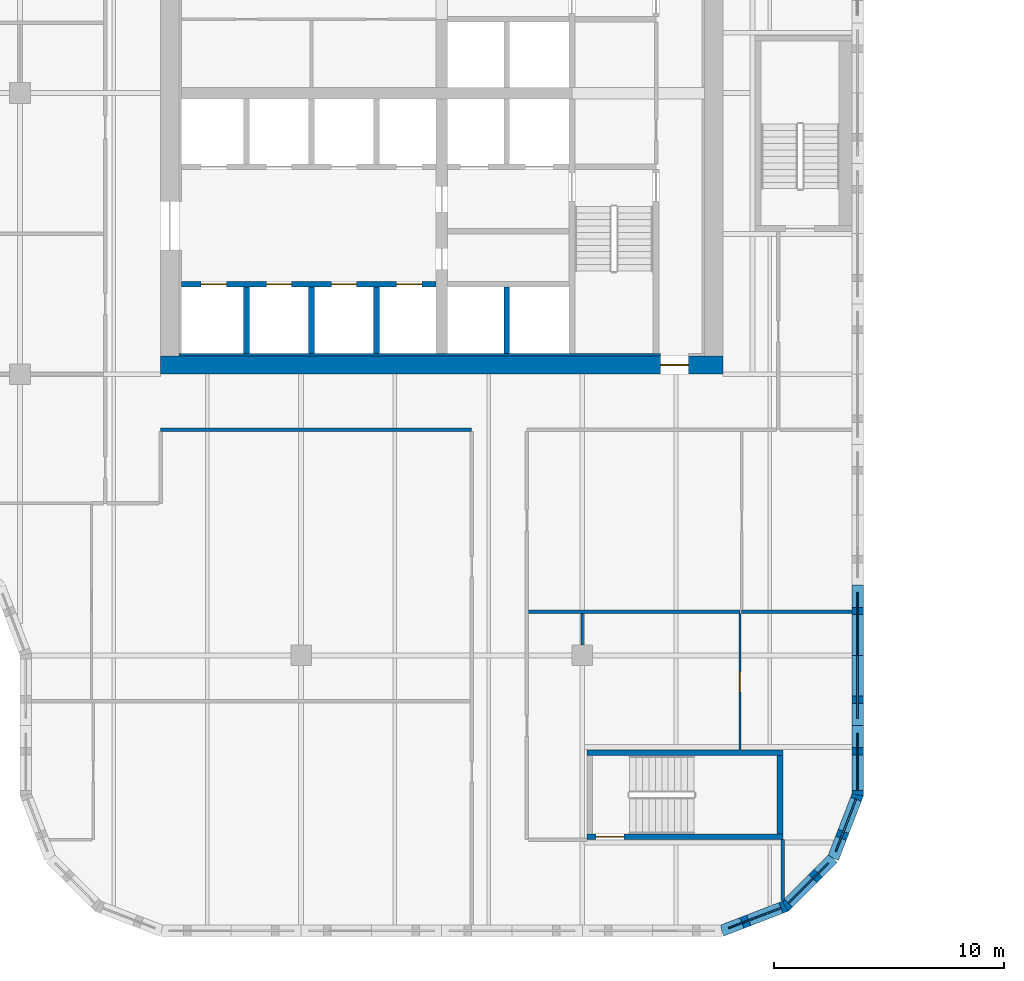
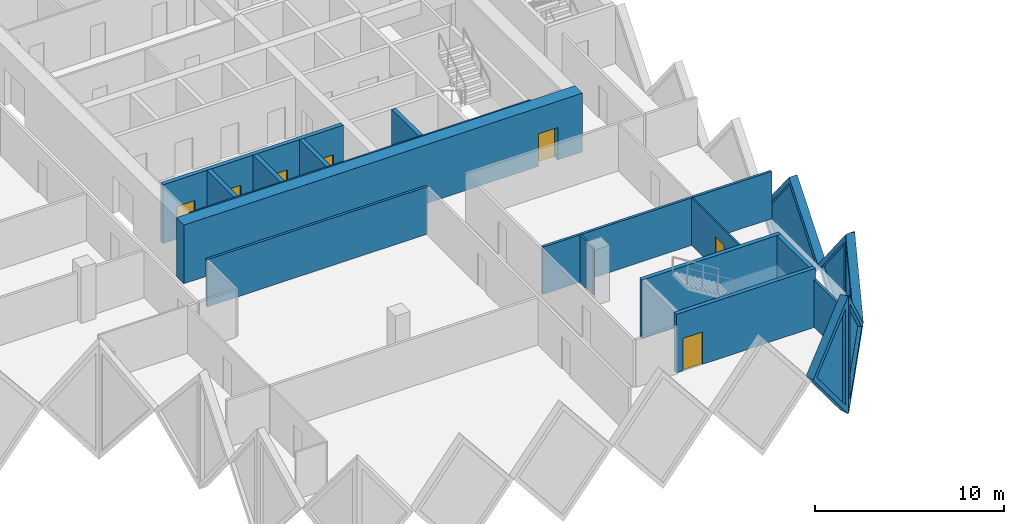
# One storey, part 6 of 19: 21 walls, 7 doors, 5 plates, 12 openings.
"""IFC4 building model written with IfcOpenShell, lengths in metres."""

from ifc_helpers import new_model, si_unit, direction, frame, frame_2d, origin, place, context, subcontext, project, spatial, polyline, rectangle, outline, extrude, faceted_brep, source, transform, mapped, material, layer, layer_set, type_object, element, fill, save


model = new_model("IFC4")

# Units and contexts
model_context = context("Model", 3, precision=1e-05, world=origin(), true_north=direction((0.0, 1.0)))
body_context = subcontext(model_context, "Body", "Model", "MODEL_VIEW")
ifc_project = project(units=[si_unit("LENGTHUNIT", "METRE"), si_unit("AREAUNIT", "SQUARE_METRE"), si_unit("VOLUMEUNIT", "CUBIC_METRE"), si_unit("PLANEANGLEUNIT", "RADIAN"), si_unit("MASSUNIT", "GRAM", prefix="KILO")], contexts=[model_context])

# Site, building, storey
site_placement = place(None, origin())
site = spatial("IfcSite", under=ifc_project, at=site_placement, CompositionType="ELEMENT")
building_placement = place(site_placement, origin())
building = spatial("IfcBuilding", under=site, at=building_placement, Name="Tessera Gate Towers", CompositionType="ELEMENT")
storey_placement = place(building_placement, frame((0.0, 0.0, 87.60009765625)))
storey = spatial("IfcBuildingStorey", under=building, at=storey_placement, Name="L21", CompositionType="ELEMENT", Elevation=87.60009765625)

# Wall, openings, doors
ifc_material_1 = material(Name="Concrete C40/50", Category="concrete")
ifc_layer_1 = layer(ifc_material_1, 0.25)
ifc_layer_set_1 = layer_set([ifc_layer_1], Name="CORE ENCLOSURE WALL 250")
wall_type_1 = type_object("IfcWallType", Name="CORE ENCLOSURE WALL 250", PredefinedType="SOLIDWALL", material=ifc_layer_set_1)
wall_1_placement = place(storey_placement, frame((31.39990234375, 28.300048828125, 0.0), z_axis=(0.0, 0.0, 1.0), x_axis=(1.0, 0.0, 0.0)))
wall_1 = element("IfcWall", 1, at=wall_1_placement, inside=storey, type_object=wall_type_1, Name="L21 shaft and stair enclosure wall", PredefinedType="SOLIDWALL", context=body_context, shape_type="SweptSolid", body=[
    extrude(rectangle(XDim=11.050048828125, YDim=0.25, at=frame_2d((5.52490234375, 0.0))), origin(), (0.0, 0.0, 1.0), 3.7998046875),
])
shared_shape_1 = source(origin(), body_context, "Body", "SweptSolid", [
    extrude(rectangle(XDim=1.10009765625, YDim=2.10009765625, at=frame_2d((0.550048828125, 1.050048828125))), frame((0.0, 0.135009765625, 0.0), z_axis=(0.0, -1.0, 0.0), x_axis=(1.0, 0.0, 0.0)), (0.0, 0.0, 1.0), 0.27001953125),
])
opening_1_placement = place(wall_1_placement, frame((0.862548828125, 0.0, 0.0)))
opening_1 = element("IfcOpeningElement", 2, at=opening_1_placement, cuts=wall_1, Name="Opening LD-LR1", PredefinedType="OPENING", context=body_context, shape_type="MappedRepresentation", body=[
    mapped(shared_shape_1, transform((0.0, 0.0, 0.0), scale=1.0)),
])
opening_2_placement = place(wall_1_placement, frame((3.6875, 0.0, 0.0)))
opening_2 = element("IfcOpeningElement", 3, at=opening_2_placement, cuts=wall_1, Name="Opening LD-LR2", PredefinedType="OPENING", context=body_context, shape_type="MappedRepresentation", body=[
    mapped(shared_shape_1, transform((0.0, 0.0, 0.0), scale=1.0)),
])
opening_3_placement = place(wall_1_placement, frame((6.512451171875, 0.0, 0.0)))
opening_3 = element("IfcOpeningElement", 4, at=opening_3_placement, cuts=wall_1, Name="Opening LD-LR3", PredefinedType="OPENING", context=body_context, shape_type="MappedRepresentation", body=[
    mapped(shared_shape_1, transform((0.0, 0.0, 0.0), scale=1.0)),
])
opening_4_placement = place(wall_1_placement, frame((9.33740234375, 0.0, 0.0)))
opening_4 = element("IfcOpeningElement", 5, at=opening_4_placement, cuts=wall_1, Name="Opening LD-LR4", PredefinedType="OPENING", context=body_context, shape_type="MappedRepresentation", body=[
    mapped(shared_shape_1, transform((0.0, 0.0, 0.0), scale=1.0)),
])
ifc_material_2 = material(Name="Stainless steel", Category="steel")
door_type_1 = type_object("IfcDoorType", Name="CORE DOOR LD 1100x2100", OperationType="DOUBLE_DOOR_SLIDING", PredefinedType="DOOR", material=ifc_material_2)
shared_shape_2 = source(origin(), body_context, "Body", "SweptSolid", [
    extrude(rectangle(XDim=1.10009765625, YDim=2.10009765625, at=frame_2d((0.550048828125, 1.050048828125))), frame((0.0, 0.02490234375, 0.0), z_axis=(0.0, -1.0, 0.0), x_axis=(1.0, 0.0, 0.0)), (0.0, 0.0, 1.0), 0.050048828125),
])
door_1_placement = place(opening_1_placement, origin())
door_1 = element("IfcDoor", 6, at=door_1_placement, inside=storey, type_object=door_type_1, Name="Landing door LR1 L21", OperationType="DOUBLE_DOOR_SLIDING", OverallHeight=2.10009765625, OverallWidth=1.10009765625, PredefinedType="DOOR", context=body_context, shape_type="MappedRepresentation", body=[
    mapped(shared_shape_2, transform((0.0, 0.0, 0.0), scale=1.0)),
])
fill(opening_1, door_1)
door_2_placement = place(opening_2_placement, origin())
door_2 = element("IfcDoor", 7, at=door_2_placement, inside=storey, type_object=door_type_1, Name="Landing door LR2 L21", OperationType="DOUBLE_DOOR_SLIDING", OverallHeight=2.10009765625, OverallWidth=1.10009765625, PredefinedType="DOOR", context=body_context, shape_type="MappedRepresentation", body=[
    mapped(shared_shape_2, transform((0.0, 0.0, 0.0), scale=1.0)),
])
fill(opening_2, door_2)
door_3_placement = place(opening_3_placement, origin())
door_3 = element("IfcDoor", 8, at=door_3_placement, inside=storey, type_object=door_type_1, Name="Landing door LR3 L21", OperationType="DOUBLE_DOOR_SLIDING", OverallHeight=2.10009765625, OverallWidth=1.10009765625, PredefinedType="DOOR", context=body_context, shape_type="MappedRepresentation", body=[
    mapped(shared_shape_2, transform((0.0, 0.0, 0.0), scale=1.0)),
])
fill(opening_3, door_3)
door_4_placement = place(opening_4_placement, origin())
door_4 = element("IfcDoor", 9, at=door_4_placement, inside=storey, type_object=door_type_1, Name="Landing door LR4 L21", OperationType="DOUBLE_DOOR_SLIDING", OverallHeight=2.10009765625, OverallWidth=1.10009765625, PredefinedType="DOOR", context=body_context, shape_type="MappedRepresentation", body=[
    mapped(shared_shape_2, transform((0.0, 0.0, 0.0), scale=1.0)),
])
fill(opening_4, door_4)

# Walls
for number, where, z_axis, x_axis, name in (
    (10, (34.22509765625, 25.300048828125, 0.0), (0.0, 0.0, 1.0), (0.0, 1.0, 0.0), "L21 shaft and stair enclosure wall"),
    (11, (37.050048828125, 25.300048828125, 0.0), (0.0, 0.0, 1.0), (0.0, 1.0, 0.0), "L21 shaft and stair enclosure wall"),
    (12, (39.875, 25.300048828125, 0.0), (0.0, 0.0, 1.0), (0.0, 1.0, 0.0), "L21 shaft and stair enclosure wall"),
    (13, (45.52490234375, 25.300048828125, 0.0), (0.0, 0.0, 1.0), (0.0, 1.0, 0.0), "L21 shaft and stair enclosure wall"),
):
    element("IfcWall", number, at=place(storey_placement, frame(where, z_axis=z_axis, x_axis=x_axis)), inside=storey, type_object=wall_type_1, Name=name, PredefinedType="SOLIDWALL", context=body_context, shape_type="SweptSolid", body=[
        extrude(rectangle(XDim=2.875, YDim=0.25, at=frame_2d((1.4375, 0.0))), origin(), (0.0, 0.0, 1.0), 3.7998046875),
    ])

# Wall, opening, door
wall_2_placement = place(storey_placement, frame((57.5, 4.324951171875, 0.0), z_axis=(0.0, 0.0, 1.0), x_axis=(-1.0, 0.0, 0.0)))
wall_2 = element("IfcWall", 14, at=wall_2_placement, inside=storey, type_object=wall_type_1, Name="L21 ST4 enclosure wall", PredefinedType="SOLIDWALL", context=body_context, shape_type="SweptSolid", body=[
    extrude(rectangle(XDim=8.5, YDim=0.25, at=frame_2d((4.25, 0.0))), origin(), (0.0, 0.0, 1.0), 3.7998046875),
])
shared_shape_3 = source(origin(), body_context, "Body", "SweptSolid", [
    extrude(rectangle(XDim=1.199951171875, YDim=2.10009765625, at=frame_2d((0.60009765625, 1.050048828125))), frame((0.0, 0.135009765625, 0.0), z_axis=(0.0, -1.0, 0.0), x_axis=(1.0, 0.0, 0.0)), (0.0, 0.0, 1.0), 0.27001953125),
])
opening_5_placement = place(wall_2_placement, frame((6.89990234375, 0.0, 0.0)))
opening_5 = element("IfcOpeningElement", 15, at=opening_5_placement, cuts=wall_2, Name="Opening SD-ST4-1", PredefinedType="OPENING", context=body_context, shape_type="MappedRepresentation", body=[
    mapped(shared_shape_3, transform((0.0, 0.0, 0.0), scale=1.0)),
])
ifc_material_3 = material(Name="Hollow steel fire door", Category="steel")
door_type_2 = type_object("IfcDoorType", Name="CORE DOOR SD 1200x2100", OperationType="NOTDEFINED", PredefinedType="DOOR", material=ifc_material_3)
shared_shape_4 = source(origin(), body_context, "Body", "SweptSolid", [
    extrude(rectangle(XDim=1.199951171875, YDim=2.10009765625, at=frame_2d((0.60009765625, 1.050048828125))), frame((0.0, 0.02490234375, 0.0), z_axis=(0.0, -1.0, 0.0), x_axis=(1.0, 0.0, 0.0)), (0.0, 0.0, 1.0), 0.050048828125),
])
door_5_placement = place(opening_5_placement, origin())
door_5 = element("IfcDoor", 16, at=door_5_placement, inside=storey, type_object=door_type_2, Name="Stair door", OperationType="SINGLE_SWING_RIGHT", OverallHeight=2.10009765625, OverallWidth=1.199951171875, PredefinedType="DOOR", context=body_context, shape_type="MappedRepresentation", body=[
    mapped(shared_shape_4, transform((0.0, 0.0, 0.0), scale=1.0)),
])
fill(opening_5, door_5)

# Walls
wall_3_placement = place(storey_placement, frame((49.0, 7.97509765625, 0.0), z_axis=(0.0, 0.0, 1.0), x_axis=(1.0, 0.0, 0.0)))
element("IfcWall", 17, at=wall_3_placement, inside=storey, type_object=wall_type_1, Name="L21 ST4 enclosure wall", PredefinedType="SOLIDWALL", context=body_context, shape_type="SweptSolid", body=[
    extrude(rectangle(XDim=8.5, YDim=0.25, at=frame_2d((4.25, 0.0))), origin(), (0.0, 0.0, 1.0), 3.7998046875),
])
wall_4_placement = place(storey_placement, frame((57.375, 7.85009765625, 0.0), z_axis=(0.0, 0.0, 1.0), x_axis=(0.0, -1.0, 0.0)))
element("IfcWall", 18, at=wall_4_placement, inside=storey, type_object=wall_type_1, Name="L21 ST4 enclosure wall", PredefinedType="SOLIDWALL", context=body_context, shape_type="SweptSolid", body=[
    extrude(rectangle(XDim=3.400146484375, YDim=0.25, at=frame_2d((1.7001953125, 0.0))), origin(), (0.0, 0.0, 1.0), 3.7998046875),
])

# Wall, opening, door
ifc_material_4 = material(Name="Concrete C60/75", Category="concrete")
ifc_layer_2 = layer(ifc_material_4, 0.800048828125)
ifc_layer_set_2 = layer_set([ifc_layer_2], Name="CORE SHEAR WALL 800 C60/75")
wall_type_2 = type_object("IfcWallType", Name="CORE SHEAR WALL 800 C60/75", PredefinedType="SHEAR", material=ifc_layer_set_2)
wall_5_placement = place(storey_placement, frame((54.89990234375, 24.800048828125, 0.0), z_axis=(0.0, 0.0, 1.0), x_axis=(-1.0, 0.0, 0.0)))
wall_5 = element("IfcWall", 19, at=wall_5_placement, inside=storey, type_object=wall_type_2, Name="Core wall S L21", PredefinedType="SHEAR", context=body_context, shape_type="SweptSolid", body=[
    extrude(rectangle(XDim=24.39990234375, YDim=0.800048828125, at=frame_2d((12.199951171875, 0.0))), origin(), (0.0, 0.0, 1.0), 3.7998046875),
])
shared_shape_5 = source(origin(), body_context, "Body", "SweptSolid", [
    extrude(rectangle(XDim=1.199951171875, YDim=2.10009765625, at=frame_2d((0.60009765625, 1.050048828125))), frame((0.0, 0.409912109375, 0.0), z_axis=(0.0, -1.0, 0.0), x_axis=(1.0, 0.0, 0.0)), (0.0, 0.0, 1.0), 0.820068359375),
])
opening_6_placement = place(wall_5_placement, frame((1.5, 0.0, 0.0)))
opening_6 = element("IfcOpeningElement", 20, at=opening_6_placement, cuts=wall_5, Name="Opening ED-T1-14-01", PredefinedType="OPENING", context=body_context, shape_type="MappedRepresentation", body=[
    mapped(shared_shape_5, transform((0.0, 0.0, 0.0), scale=1.0)),
])
ifc_material_5 = material(Name="Hollow steel fire door", Category="steel")
door_type_3 = type_object("IfcDoorType", Name="CORE DOOR ED 1200x2100", OperationType="NOTDEFINED", PredefinedType="DOOR", material=ifc_material_5)
door_6_placement = place(opening_6_placement, origin())
door_6 = element("IfcDoor", 21, at=door_6_placement, inside=storey, type_object=door_type_3, Name="Core exit door", OperationType="SINGLE_SWING_LEFT", OverallHeight=2.10009765625, OverallWidth=1.199951171875, PredefinedType="DOOR", context=body_context, shape_type="MappedRepresentation", body=[
    mapped(shared_shape_4, transform((0.0, 0.0, 0.0), scale=1.0)),
])
fill(opening_6, door_6)

# Walls
ifc_material_6 = material(Name="Concrete C60/75", Category="concrete")
ifc_layer_3 = layer(ifc_material_6, 0.10009765625)
ifc_layer_set_3 = layer_set([ifc_layer_3], Name="CORE WALL THICKENING 100")
wall_type_3 = type_object("IfcWallType", Name="CORE WALL THICKENING 100", PredefinedType="SOLIDWALL", material=ifc_layer_set_3)
wall_6_placement = place(storey_placement, frame((31.300048828125, 25.25, 0.0), z_axis=(0.0, 0.0, 1.0), x_axis=(1.0, 0.0, 0.0)))
element("IfcWall", 22, at=wall_6_placement, inside=storey, type_object=wall_type_3, Name="Core wall thickening S L21", PredefinedType="SOLIDWALL", context=body_context, shape_type="SweptSolid", body=[
    extrude(rectangle(XDim=20.89990234375, YDim=0.10009765625, at=frame_2d((10.449951171875, 0.0))), origin(), (0.0, 0.0, 1.0), 3.7998046875),
])
ifc_material_7 = material(Name="Gypsum board on steel studs, mineral wool", Category="steel")
ifc_layer_4 = layer(ifc_material_7, 0.14990234375)
ifc_layer_set_4 = layer_set([ifc_layer_4], Name="CORRIDOR WALL 150")
wall_type_4 = type_object("IfcWallType", Name="CORRIDOR WALL 150", PredefinedType="PARTITIONING", material=ifc_layer_set_4)
wall_7_placement = place(storey_placement, frame((57.5, 1.55908203125, 0.0), z_axis=(0.0, 0.0, 1.0), x_axis=(0.0, 1.0, 0.0)))
element("IfcWall", 23, at=wall_7_placement, inside=storey, type_object=wall_type_4, Name="T1-L21-PW-002", PredefinedType="PARTITIONING", context=body_context, shape_type="SweptSolid", body=[
    extrude(rectangle(XDim=2.640869140625, YDim=0.14990234375, at=frame_2d((1.3203125, 0.0))), origin(), (0.0, 0.0, 1.0), 3.06689453125),
])
wall_8_placement = place(storey_placement, frame((30.5, 22.0, 0.0), z_axis=(0.0, 0.0, 1.0), x_axis=(1.0, 0.0, 0.0)))
element("IfcWall", 24, at=wall_8_placement, inside=storey, type_object=wall_type_4, Name="T1-L21-PW-022", PredefinedType="PARTITIONING", context=body_context, shape_type="SweptSolid", body=[
    extrude(rectangle(XDim=13.5, YDim=0.14990234375, at=frame_2d((6.75, 0.0))), origin(), (0.0, 0.0, 1.0), 3.06689453125),
])

# Wall, opening, door
ifc_material_8 = material(Name="Glass", Category="glass")
ifc_layer_5 = layer(ifc_material_8, 0.10009765625)
ifc_layer_set_5 = layer_set([ifc_layer_5], Name="GLAZED PARTITION 100")
wall_type_5 = type_object("IfcWallType", Name="GLAZED PARTITION 100", PredefinedType="PARTITIONING", material=ifc_layer_set_5)
wall_9_placement = place(storey_placement, frame((55.639892578125, 14.02392578125, 0.0), z_axis=(0.0, 0.0, 1.0), x_axis=(0.0, -1.0, 0.0)))
wall_9 = element("IfcWall", 25, at=wall_9_placement, inside=storey, type_object=wall_type_5, Name="T1-L21-PW-007", PredefinedType="PARTITIONING", context=body_context, shape_type="SweptSolid", body=[
    extrude(rectangle(XDim=5.923828125, YDim=0.10009765625, at=frame_2d((2.9619140625, 0.0))), origin(), (0.0, 0.0, 1.0), 3.06689453125),
])
shared_shape_6 = source(origin(), body_context, "Body", "SweptSolid", [
    extrude(rectangle(XDim=0.89990234375, YDim=2.10009765625, at=frame_2d((0.449951171875, 1.050048828125))), frame((0.0, 0.06005859375, 0.0), z_axis=(0.0, -1.0, 0.0), x_axis=(1.0, 0.0, 0.0)), (0.0, 0.0, 1.0), 0.1201171875),
])
opening_7_placement = place(wall_9_placement, frame((2.52392578125, 0.0, 0.0)))
opening_7 = element("IfcOpeningElement", 26, at=opening_7_placement, cuts=wall_9, Name="Opening D690-A07-03", PredefinedType="OPENING", context=body_context, shape_type="MappedRepresentation", body=[
    mapped(shared_shape_6, transform((0.0, 0.0, 0.0), scale=1.0)),
])
ifc_material_9 = material(Name="Glass in aluminium frame", Category="aluminium")
door_type_4 = type_object("IfcDoorType", Name="GLAZED DOOR 900 NOT RATED", OperationType="NOTDEFINED", PredefinedType="DOOR", material=ifc_material_9)
shared_shape_7 = source(origin(), body_context, "Body", "SweptSolid", [
    extrude(rectangle(XDim=0.89990234375, YDim=2.10009765625, at=frame_2d((0.449951171875, 1.050048828125))), frame((0.0, 0.02490234375, 0.0), z_axis=(0.0, -1.0, 0.0), x_axis=(1.0, 0.0, 0.0)), (0.0, 0.0, 1.0), 0.050048828125),
])
door_7_placement = place(opening_7_placement, origin())
door_7 = element("IfcDoor", 27, at=door_7_placement, inside=storey, type_object=door_type_4, Name="T1-L21-PD-007", OperationType="SINGLE_SWING_RIGHT", OverallHeight=2.10009765625, OverallWidth=0.89990234375, PredefinedType="DOOR", context=body_context, shape_type="MappedRepresentation", body=[
    mapped(shared_shape_7, transform((0.0, 0.0, 0.0), scale=1.0)),
])
fill(opening_7, door_7)

# Walls
ifc_material_10 = material(Name="Gypsum board on steel studs", Category="steel")
ifc_layer_6 = layer(ifc_material_10, 0.10009765625)
ifc_layer_set_6 = layer_set([ifc_layer_6], Name="PARTITION 100")
wall_type_6 = type_object("IfcWallType", Name="PARTITION 100", PredefinedType="PARTITIONING", material=ifc_layer_set_6)
wall_10_placement = place(storey_placement, frame((48.800048828125, 12.64990234375, 0.0), z_axis=(0.0, 0.0, 1.0), x_axis=(0.0, 1.0, 0.0)))
element("IfcWall", 28, at=wall_10_placement, inside=storey, type_object=wall_type_6, Name="T1-L21-PW-011", PredefinedType="PARTITIONING", context=body_context, shape_type="SweptSolid", body=[
    extrude(rectangle(XDim=1.375, YDim=0.10009765625, at=frame_2d((0.6875, 0.0))), origin(), (0.0, 0.0, 1.0), 3.06689453125),
])
ifc_material_11 = material(Name="Gypsum board on steel studs, mineral wool", Category="steel")
ifc_layer_7 = layer(ifc_material_11, 0.14990234375)
ifc_layer_set_7 = layer_set([ifc_layer_7], Name="TENANCY WALL 150")
wall_type_7 = type_object("IfcWallType", Name="TENANCY WALL 150", PredefinedType="PARTITIONING", material=ifc_layer_set_7)
wall_11_placement = place(storey_placement, frame((46.47607421875, 14.10009765625, 0.0), z_axis=(0.0, 0.0, 1.0), x_axis=(1.0, 0.0, 0.0)))
element("IfcWall", 29, at=wall_11_placement, inside=storey, type_object=wall_type_7, Name="T1-L21-PW-012", PredefinedType="PARTITIONING", context=body_context, shape_type="SweptSolid", body=[
    extrude(rectangle(XDim=9.163818359375, YDim=0.14990234375, at=frame_2d((4.58203125, 0.0))), origin(), (0.0, 0.0, 1.0), 3.06689453125),
])
wall_12_placement = place(storey_placement, frame((55.715087890625, 14.10009765625, 0.0), z_axis=(0.0, 0.0, 1.0), x_axis=(1.0, 0.0, 0.0)))
element("IfcWall", 30, at=wall_12_placement, inside=storey, type_object=wall_type_7, Name="T1-L21-PW-013", PredefinedType="PARTITIONING", context=body_context, shape_type="SweptSolid", body=[
    extrude(rectangle(XDim=4.784912109375, YDim=0.14990234375, at=frame_2d((2.392578125, 0.0))), origin(), (0.0, 0.0, 1.0), 3.06689453125),
])

# Wall, opening, plate
ifc_material_12 = material(Name="Precast concrete C60/75 white", Category="concrete")
ifc_layer_8 = layer(ifc_material_12, 0.5)
ifc_layer_set_8 = layer_set([ifc_layer_8], Name="TS1 tessera")
wall_type_8 = type_object("IfcWallType", Name="TS1 tessera", PredefinedType="SOLIDWALL", material=ifc_layer_set_8)
shared_shape_8 = source(origin(), body_context, "Body", "SweptSolid", [
    extrude(outline(polyline([(3.050048828125, 0.0), (6.10009765625, 3.800048828125), (3.050048828125, 7.599853515625), (0.0, 3.800048828125), (3.050048828125, 0.0)])), frame((0.0, 0.25, 0.0), z_axis=(0.0, -1.0, 0.0), x_axis=(1.0, 0.0, 0.0)), (0.0, 0.0, 1.0), 0.5),
])
wall_13_placement = place(storey_placement, frame((60.75, 9.14990234375, -3.800048828125), z_axis=(0.0, 0.0, 1.0), x_axis=(0.0, 1.0, 0.0)))
wall_13 = element("IfcWall", 31, at=wall_13_placement, inside=storey, type_object=wall_type_8, Name="Precast tessera T1 TS1-0326", PredefinedType="SOLIDWALL", context=body_context, shape_type="MappedRepresentation", body=[
    mapped(shared_shape_8, transform((0.0, 0.0, 0.0), scale=1.0)),
])
shared_shape_9 = source(origin(), body_context, "Body", "SweptSolid", [
    extrude(outline(polyline([(3.050048828125, 0.3994140625), (5.779541015625, 3.800048828125), (3.050048828125, 7.200439453125), (0.320556640625, 3.800048828125), (3.050048828125, 0.3994140625)])), frame((0.0, 0.260009765625, 0.0), z_axis=(0.0, -1.0, 0.0), x_axis=(1.0, 0.0, 0.0)), (0.0, 0.0, 1.0), 0.52001953125),
])
opening_8_placement = place(wall_13_placement, origin())
opening_8 = element("IfcOpeningElement", 32, at=opening_8_placement, cuts=wall_13, Name="Opening T1-PL2-0666", PredefinedType="OPENING", context=body_context, shape_type="MappedRepresentation", body=[
    mapped(shared_shape_9, transform((0.0, 0.0, 0.0), scale=1.0)),
])
ifc_material_13 = material(Name="Low-e laminated glass", Category="glass")
ifc_layer_9 = layer(ifc_material_13, 0.06005859375)
ifc_layer_set_9 = layer_set([ifc_layer_9], Name="PL2 rhombic pane")
plate_type = type_object("IfcPlateType", Name="PL2 rhombic pane", PredefinedType="SHEET", material=ifc_layer_set_9)
shared_shape_10 = source(origin(), body_context, "Body", "SweptSolid", [
    extrude(outline(polyline([(3.050048828125, 0.3994140625), (5.779541015625, 3.800048828125), (3.050048828125, 7.200439453125), (0.320556640625, 3.800048828125), (3.050048828125, 0.3994140625)])), frame((0.0, 0.030029296875, 0.0), z_axis=(0.0, -1.0, 0.0), x_axis=(1.0, 0.0, 0.0)), (0.0, 0.0, 1.0), 0.06005859375),
])
plate_1_placement = place(opening_8_placement, origin())
plate_1 = element("IfcPlate", 33, at=plate_1_placement, inside=storey, type_object=plate_type, Name="Glass pane T1 PL2-0666", PredefinedType="SHEET", context=body_context, shape_type="MappedRepresentation", body=[
    mapped(shared_shape_10, transform((0.0, 0.0, 0.0), scale=1.0)),
])
fill(opening_8, plate_1)

ifc_material_14 = material(Name="Precast concrete C60/75 white", Category="concrete")
ifc_layer_10 = layer(ifc_material_14, 0.5)
ifc_layer_set_10 = layer_set([ifc_layer_10], Name="TS3 corner tessera")
wall_type_9 = type_object("IfcWallType", Name="TS3 corner tessera", PredefinedType="SOLIDWALL", material=ifc_layer_set_10)
shared_shape_11 = source(origin(), body_context, "Body", "Brep", [
    faceted_brep([(2.950439453125, -0.25, 0.0), (3.00341796875, -0.25, 0.068359375), (3.00341796875, -0.25, 7.531494140625), (2.950439453125, -0.25, 7.599853515625), (0.0, -0.25, 3.800048828125), (0.046630859375, 0.25, 3.860107421875), (2.897705078125, 0.25, 7.53173828125), (2.897705078125, 0.25, 0.068115234375), (0.046630859375, 0.25, 3.739990234375), (2.950439453125, 0.00048828125, 0.0), (2.950439453125, 0.00048828125, 7.599853515625), (0.0, 0.0, 3.800048828125)], [[[0, 1, 2, 3, 4]], [[5, 6, 7, 8]], [[1, 0, 9]], [[10, 3, 2]], [[6, 5, 11, 4, 3, 10]], [[8, 7, 9, 0, 4, 11]], [[8, 11, 5]], [[1, 9, 7, 6, 10, 2]]]),
])
wall_14_placement = place(storey_placement, frame((54.853515625, 0.25, -3.800048828125), z_axis=(0.0, 0.0, 1.0), x_axis=(0.932970071518, 0.359953949349, 0.0)))
wall_14 = element("IfcWall", 34, at=wall_14_placement, inside=storey, type_object=wall_type_9, Name="Precast corner tessera T1 TS3-0457", PredefinedType="SOLIDWALL", context=body_context, shape_type="MappedRepresentation", body=[
    mapped(shared_shape_11, transform((0.0, 0.0, 0.0), scale=1.0)),
])
shared_shape_12 = source(origin(), body_context, "Body", "SweptSolid", [
    extrude(outline(polyline([(2.75048828125, 6.934814453125), (0.31640625, 3.800048828125), (2.75048828125, 0.665283203125), (2.75048828125, 6.934814453125)])), frame((0.0, 0.260009765625, 0.0), z_axis=(0.0, -1.0, 0.0), x_axis=(1.0, 0.0, 0.0)), (0.0, 0.0, 1.0), 0.52001953125),
])
opening_9_placement = place(wall_14_placement, origin())
opening_9 = element("IfcOpeningElement", 35, at=opening_9_placement, cuts=wall_14, Name="Opening T1-PL2-0662", PredefinedType="OPENING", context=body_context, shape_type="MappedRepresentation", body=[
    mapped(shared_shape_12, transform((0.0, 0.0, 0.0), scale=1.0)),
])
shared_shape_13 = source(origin(), body_context, "Body", "SweptSolid", [
    extrude(outline(polyline([(2.75048828125, 6.934814453125), (0.31640625, 3.800048828125), (2.75048828125, 0.665283203125), (2.75048828125, 6.934814453125)])), frame((0.0, 0.030029296875, 0.0), z_axis=(0.0, -1.0, 0.0), x_axis=(1.0, 0.0, 0.0)), (0.0, 0.0, 1.0), 0.06005859375),
])
plate_2_placement = place(opening_9_placement, origin())
plate_2 = element("IfcPlate", 36, at=plate_2_placement, inside=storey, type_object=plate_type, Name="Glass pane T1 PL2-0662", PredefinedType="SHEET", context=body_context, shape_type="MappedRepresentation", body=[
    mapped(shared_shape_13, transform((0.0, 0.0, 0.0), scale=1.0)),
])
fill(opening_9, plate_2)

shared_shape_14 = source(origin(), body_context, "Body", "Brep", [
    faceted_brep([(0.052978515625, -0.25, 0.0), (2.9970703125, -0.25, 3.800048828125), (0.052978515625, -0.25, 7.599853515625), (0.0, -0.25, 7.53173828125), (0.0, -0.25, 0.068115234375), (0.10595703125, 0.25, 7.531494140625), (2.944091796875, 0.25, 3.8681640625), (2.944091796875, 0.25, 3.73193359375), (0.10595703125, 0.25, 0.068359375), (2.9970703125, 0.000244140625, 3.800048828125), (0.052978515625, 0.0, 0.0), (0.052978515625, 0.0, 7.599853515625)], [[[0, 1, 2, 3, 4]], [[5, 6, 7, 8]], [[8, 7, 9, 1, 0, 10]], [[6, 5, 11, 2, 1, 9]], [[3, 2, 11]], [[10, 0, 4]], [[8, 10, 4, 3, 11, 5]], [[7, 6, 9]]]),
])
wall_15_placement = place(storey_placement, frame((57.56884765625, 1.2744140625, -3.800048828125), z_axis=(0.0, 0.0, 1.0), x_axis=(0.707066050402, 0.707147509625, 0.0)))
wall_15 = element("IfcWall", 37, at=wall_15_placement, inside=storey, type_object=wall_type_9, Name="Precast corner tessera T1 TS3-0458", PredefinedType="SOLIDWALL", context=body_context, shape_type="MappedRepresentation", body=[
    mapped(shared_shape_14, transform((0.0, 0.0, 0.0), scale=1.0)),
])
shared_shape_15 = source(origin(), body_context, "Body", "SweptSolid", [
    extrude(outline(polyline([(0.2529296875, 0.666259765625), (2.680908203125, 3.800048828125), (0.2529296875, 6.93359375), (0.2529296875, 0.666259765625)])), frame((0.0, 0.260009765625, 0.0), z_axis=(0.0, -1.0, 0.0), x_axis=(1.0, 0.0, 0.0)), (0.0, 0.0, 1.0), 0.52001953125),
])
opening_10_placement = place(wall_15_placement, origin())
opening_10 = element("IfcOpeningElement", 38, at=opening_10_placement, cuts=wall_15, Name="Opening T1-PL2-0663", PredefinedType="OPENING", context=body_context, shape_type="MappedRepresentation", body=[
    mapped(shared_shape_15, transform((0.0, 0.0, 0.0), scale=1.0)),
])
shared_shape_16 = source(origin(), body_context, "Body", "SweptSolid", [
    extrude(outline(polyline([(0.2529296875, 0.666259765625), (2.680908203125, 3.800048828125), (0.2529296875, 6.93359375), (0.2529296875, 0.666259765625)])), frame((0.0, 0.030029296875, 0.0), z_axis=(0.0, -1.0, 0.0), x_axis=(1.0, 0.0, 0.0)), (0.0, 0.0, 1.0), 0.06005859375),
])
plate_3_placement = place(opening_10_placement, origin())
plate_3 = element("IfcPlate", 39, at=plate_3_placement, inside=storey, type_object=plate_type, Name="Glass pane T1 PL2-0663", PredefinedType="SHEET", context=body_context, shape_type="MappedRepresentation", body=[
    mapped(shared_shape_16, transform((0.0, 0.0, 0.0), scale=1.0)),
])
fill(opening_10, plate_3)

shared_shape_17 = source(origin(), body_context, "Body", "Brep", [
    faceted_brep([(2.950439453125, -0.25, 0.0), (2.9970703125, -0.25, 0.05908203125), (2.9970703125, -0.25, 7.540771484375), (2.950439453125, -0.25, 7.599853515625), (0.0, -0.25, 3.800048828125), (0.052978515625, 0.25, 3.8681640625), (2.904052734375, 0.25, 7.5400390625), (2.904052734375, 0.25, 0.059814453125), (0.052978515625, 0.25, 3.73193359375), (2.950439453125, 0.00048828125, 0.0), (2.950439453125, 0.00048828125, 7.599853515625), (0.0, 0.0, 3.800048828125)], [[[0, 1, 2, 3, 4]], [[5, 6, 7, 8]], [[1, 0, 9]], [[10, 3, 2]], [[6, 5, 11, 4, 3, 10]], [[8, 7, 9, 0, 4, 11]], [[8, 11, 5]], [[1, 9, 7, 6, 10, 2]]]),
])
wall_16_placement = place(storey_placement, frame((59.68798828125, 3.393798828125, -3.800048828125), z_axis=(0.0, 0.0, 1.0), x_axis=(0.359972353723, 0.932962970624, 0.0)))
wall_16 = element("IfcWall", 40, at=wall_16_placement, inside=storey, type_object=wall_type_9, Name="Precast corner tessera T1 TS3-0459", PredefinedType="SOLIDWALL", context=body_context, shape_type="MappedRepresentation", body=[
    mapped(shared_shape_17, transform((0.0, 0.0, 0.0), scale=1.0)),
])
opening_11_placement = place(wall_16_placement, origin())
opening_11 = element("IfcOpeningElement", 41, at=opening_11_placement, cuts=wall_16, Name="Opening T1-PL2-0664", PredefinedType="OPENING", context=body_context, shape_type="MappedRepresentation", body=[
    mapped(shared_shape_12, transform((0.0, 0.0, 0.0), scale=1.0)),
])
plate_4_placement = place(opening_11_placement, origin())
plate_4 = element("IfcPlate", 42, at=plate_4_placement, inside=storey, type_object=plate_type, Name="Glass pane T1 PL2-0664", PredefinedType="SHEET", context=body_context, shape_type="MappedRepresentation", body=[
    mapped(shared_shape_13, transform((0.0, 0.0, 0.0), scale=1.0)),
])
fill(opening_11, plate_4)

shared_shape_18 = source(origin(), body_context, "Body", "Brep", [
    faceted_brep([(0.046630859375, -0.25, 0.0), (3.050048828125, -0.25, 3.800048828125), (0.046630859375, -0.25, 7.599853515625), (0.0, -0.25, 7.539794921875), (0.0, -0.25, 0.06005859375), (0.09326171875, 0.25, 7.541015625), (3.050048828125, 0.25, 3.800048828125), (0.09326171875, 0.25, 0.058837890625), (0.046630859375, 0.0, 0.0), (0.046630859375, 0.0, 7.599853515625)], [[[0, 1, 2, 3, 4]], [[5, 6, 7]], [[7, 6, 1, 0, 8]], [[6, 5, 9, 2, 1]], [[3, 2, 9]], [[8, 0, 4]], [[7, 8, 4, 3, 9, 5]]]),
])
wall_17_placement = place(storey_placement, frame((60.75, 6.099853515625, -3.800048828125), z_axis=(0.0, 0.0, 1.0), x_axis=(0.0, 1.0, 0.0)))
wall_17 = element("IfcWall", 43, at=wall_17_placement, inside=storey, type_object=wall_type_9, Name="Precast corner tessera T1 TS3-0460", PredefinedType="SOLIDWALL", context=body_context, shape_type="MappedRepresentation", body=[
    mapped(shared_shape_18, transform((0.0, 0.0, 0.0), scale=1.0)),
])
shared_shape_19 = source(origin(), body_context, "Body", "SweptSolid", [
    extrude(outline(polyline([(0.24658203125, 0.65625), (2.7314453125, 3.800048828125), (0.24658203125, 6.94384765625), (0.24658203125, 0.65625)])), frame((0.0, 0.260009765625, 0.0), z_axis=(0.0, -1.0, 0.0), x_axis=(1.0, 0.0, 0.0)), (0.0, 0.0, 1.0), 0.52001953125),
])
opening_12_placement = place(wall_17_placement, origin())
opening_12 = element("IfcOpeningElement", 44, at=opening_12_placement, cuts=wall_17, Name="Opening T1-PL2-0665", PredefinedType="OPENING", context=body_context, shape_type="MappedRepresentation", body=[
    mapped(shared_shape_19, transform((0.0, 0.0, 0.0), scale=1.0)),
])
shared_shape_20 = source(origin(), body_context, "Body", "SweptSolid", [
    extrude(outline(polyline([(0.24658203125, 0.65625), (2.7314453125, 3.800048828125), (0.24658203125, 6.94384765625), (0.24658203125, 0.65625)])), frame((0.0, 0.030029296875, 0.0), z_axis=(0.0, -1.0, 0.0), x_axis=(1.0, 0.0, 0.0)), (0.0, 0.0, 1.0), 0.06005859375),
])
plate_5_placement = place(opening_12_placement, origin())
plate_5 = element("IfcPlate", 45, at=plate_5_placement, inside=storey, type_object=plate_type, Name="Glass pane T1 PL2-0665", PredefinedType="SHEET", context=body_context, shape_type="MappedRepresentation", body=[
    mapped(shared_shape_20, transform((0.0, 0.0, 0.0), scale=1.0)),
])
fill(opening_12, plate_5)

save(model, "model.ifc")
